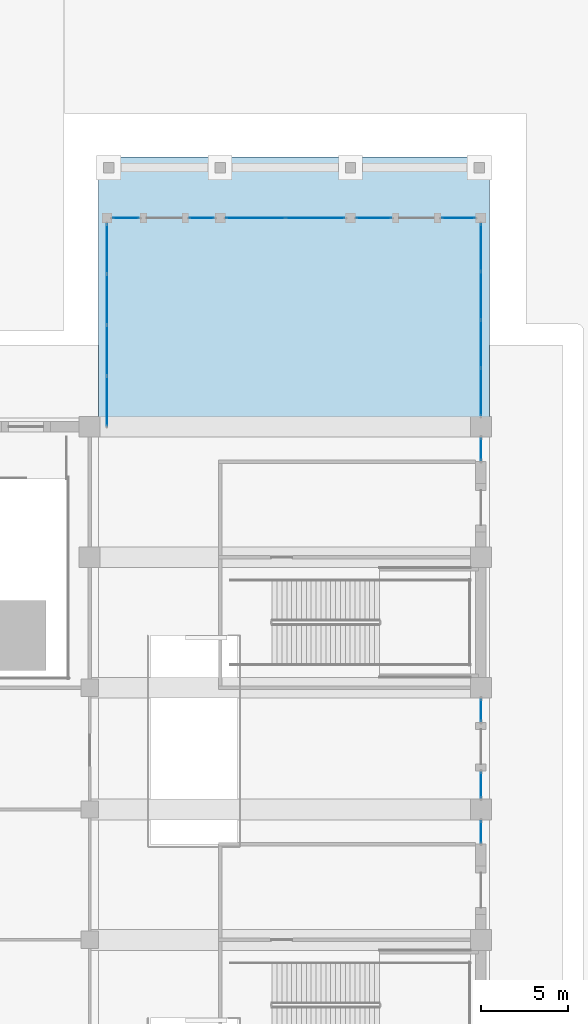
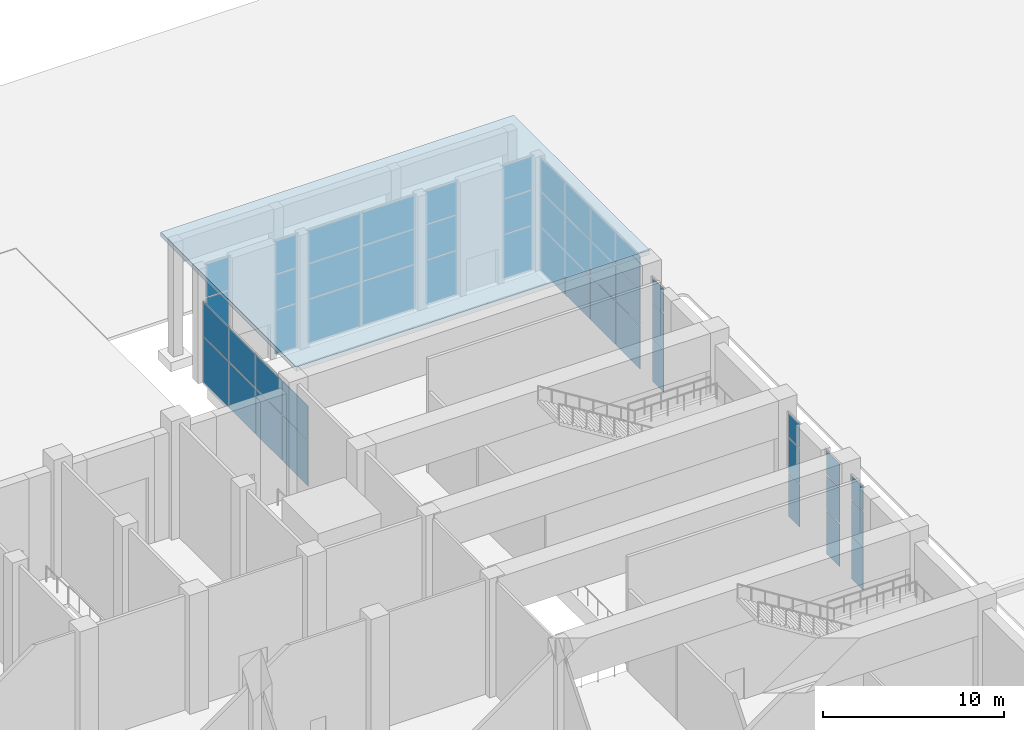
# One storey, part 22 of 57: 50 plates, 1 slab, 11 elements without a shape of their own.
"""IFC4 building model written with IfcOpenShell, lengths in metres."""

from ifc_helpers import new_model, si_unit, direction, frame, origin, origin_2d, place, context, subcontext, project, spatial, polyline, rectangle, outline, extrude, material, layer, layer_set, type_object, element, aggregate, save


model = new_model("IFC4")

# Units and contexts
model_context = context("Model", 3, precision=1e-05, world=origin(), true_north=direction((0.0, 1.0)))
body_context = subcontext(model_context, "Body", "Model", "MODEL_VIEW")
ifc_project = project(units=[si_unit("LENGTHUNIT", "METRE"), si_unit("AREAUNIT", "SQUARE_METRE"), si_unit("VOLUMEUNIT", "CUBIC_METRE"), si_unit("PLANEANGLEUNIT", "RADIAN"), si_unit("MASSUNIT", "GRAM", prefix="KILO")], contexts=[model_context])

# Site, building, storey
site_placement = place(None, origin())
site = spatial("IfcSite", under=ifc_project, at=site_placement, CompositionType="ELEMENT")
building_placement = place(site_placement, origin())
building = spatial("IfcBuilding", under=site, at=building_placement, Name="Tamorin Gate", CompositionType="ELEMENT")
storey_placement = place(building_placement, origin())
storey = spatial("IfcBuildingStorey", under=building, at=storey_placement, Name="L00", CompositionType="ELEMENT", Elevation=0.0)

# Curtain wall, plates
ifc_material_1 = material(Name="Aluminium and glass", Category="aluminium")
ifc_layer_1 = layer(ifc_material_1, 0.199951171875)
ifc_layer_set_1 = layer_set([ifc_layer_1], Name="Station concourse glazing system")
curtain_wall_type_1 = type_object("IfcCurtainWallType", Name="Station concourse glazing system", PredefinedType="NOTDEFINED", material=ifc_layer_set_1)
curtain_wall_1_placement = place(storey_placement, origin())
curtain_wall_1 = element("IfcCurtainWall", 1, at=curtain_wall_1_placement, inside=storey, type_object=curtain_wall_type_1, Name="Station concourse glazing system L00", PredefinedType="NOTDEFINED")
ifc_material_2 = material(Name="Laminated glass", Category="glass")
ifc_layer_2 = layer(ifc_material_2, 0.028076171875)
ifc_layer_set_2 = layer_set([ifc_layer_2], Name="Concourse glass 28")
plate_type_1 = type_object("IfcPlateType", Name="Concourse glass 28", PredefinedType="CURTAIN_PANEL", material=ifc_layer_set_2)
plate_1_placement = place(storey_placement, frame((112.0, 88.699951171875, 0.080078125), z_axis=(0.0, 0.0, 1.0), x_axis=(0.0, 1.0, 0.0)))
plate_1 = element("IfcPlate", 2, at=plate_1_placement, type_object=plate_type_1, Name="CWP11 panel 1.1", PredefinedType="CURTAIN_PANEL", context=body_context, shape_type="SweptSolid", body=[
    extrude(rectangle(XDim=1.239990234375, YDim=0.028076171875, at=origin_2d()), origin(), (0.0, 0.0, 1.0), 2.8798828125),
])
plate_2_placement = place(storey_placement, frame((112.0, 88.699951171875, 3.0400390625), z_axis=(0.0, 0.0, 1.0), x_axis=(0.0, 1.0, 0.0)))
plate_2 = element("IfcPlate", 3, at=plate_2_placement, type_object=plate_type_1, Name="CWP11 panel 1.2", PredefinedType="CURTAIN_PANEL", context=body_context, shape_type="SweptSolid", body=[
    extrude(rectangle(XDim=1.239990234375, YDim=0.028076171875, at=origin_2d()), origin(), (0.0, 0.0, 1.0), 2.320068359375),
])
plate_3_placement = place(storey_placement, frame((112.0, 88.699951171875, 5.43994140625), z_axis=(0.0, 0.0, 1.0), x_axis=(0.0, 1.0, 0.0)))
plate_3 = element("IfcPlate", 4, at=plate_3_placement, type_object=plate_type_1, Name="CWP11 panel 1.3", PredefinedType="CURTAIN_PANEL", context=body_context, shape_type="SweptSolid", body=[
    extrude(rectangle(XDim=1.239990234375, YDim=0.028076171875, at=origin_2d()), origin(), (0.0, 0.0, 1.0), 1.580078125),
])
aggregate(curtain_wall_1, [plate_1, plate_2, plate_3])

curtain_wall_2_placement = place(storey_placement, origin())
curtain_wall_2 = element("IfcCurtainWall", 5, at=curtain_wall_2_placement, inside=storey, type_object=curtain_wall_type_1, Name="Station concourse glazing system L00", PredefinedType="NOTDEFINED")
plate_4_placement = place(storey_placement, frame((112.0, 91.39990234375, 0.080078125), z_axis=(0.0, 0.0, 1.0), x_axis=(0.0, 1.0, 0.0)))
plate_4 = element("IfcPlate", 6, at=plate_4_placement, type_object=plate_type_1, Name="CWP11 panel 1.1", PredefinedType="CURTAIN_PANEL", context=body_context, shape_type="SweptSolid", body=[
    extrude(rectangle(XDim=1.43994140625, YDim=0.028076171875, at=origin_2d()), origin(), (0.0, 0.0, 1.0), 2.8798828125),
])
plate_5_placement = place(storey_placement, frame((112.0, 91.39990234375, 3.0400390625), z_axis=(0.0, 0.0, 1.0), x_axis=(0.0, 1.0, 0.0)))
plate_5 = element("IfcPlate", 7, at=plate_5_placement, type_object=plate_type_1, Name="CWP11 panel 1.2", PredefinedType="CURTAIN_PANEL", context=body_context, shape_type="SweptSolid", body=[
    extrude(rectangle(XDim=1.43994140625, YDim=0.028076171875, at=origin_2d()), origin(), (0.0, 0.0, 1.0), 2.320068359375),
])
plate_6_placement = place(storey_placement, frame((112.0, 91.39990234375, 5.43994140625), z_axis=(0.0, 0.0, 1.0), x_axis=(0.0, 1.0, 0.0)))
plate_6 = element("IfcPlate", 8, at=plate_6_placement, type_object=plate_type_1, Name="CWP11 panel 1.3", PredefinedType="CURTAIN_PANEL", context=body_context, shape_type="SweptSolid", body=[
    extrude(rectangle(XDim=1.43994140625, YDim=0.028076171875, at=origin_2d()), origin(), (0.0, 0.0, 1.0), 1.580078125),
])
aggregate(curtain_wall_2, [plate_4, plate_5, plate_6])

curtain_wall_3_placement = place(storey_placement, origin())
curtain_wall_3 = element("IfcCurtainWall", 9, at=curtain_wall_3_placement, inside=storey, type_object=curtain_wall_type_1, Name="Station concourse glazing system L00", PredefinedType="NOTDEFINED")
plate_7_placement = place(storey_placement, frame((112.0, 95.699951171875, 0.080078125), z_axis=(0.0, 0.0, 1.0), x_axis=(0.0, 1.0, 0.0)))
plate_7 = element("IfcPlate", 10, at=plate_7_placement, type_object=plate_type_1, Name="CWP11 panel 1.1", PredefinedType="CURTAIN_PANEL", context=body_context, shape_type="SweptSolid", body=[
    extrude(rectangle(XDim=1.239990234375, YDim=0.028076171875, at=origin_2d()), origin(), (0.0, 0.0, 1.0), 2.8798828125),
])
plate_8_placement = place(storey_placement, frame((112.0, 95.699951171875, 3.0400390625), z_axis=(0.0, 0.0, 1.0), x_axis=(0.0, 1.0, 0.0)))
plate_8 = element("IfcPlate", 11, at=plate_8_placement, type_object=plate_type_1, Name="CWP11 panel 1.2", PredefinedType="CURTAIN_PANEL", context=body_context, shape_type="SweptSolid", body=[
    extrude(rectangle(XDim=1.239990234375, YDim=0.028076171875, at=origin_2d()), origin(), (0.0, 0.0, 1.0), 2.320068359375),
])
plate_9_placement = place(storey_placement, frame((112.0, 95.699951171875, 5.43994140625), z_axis=(0.0, 0.0, 1.0), x_axis=(0.0, 1.0, 0.0)))
plate_9 = element("IfcPlate", 12, at=plate_9_placement, type_object=plate_type_1, Name="CWP11 panel 1.3", PredefinedType="CURTAIN_PANEL", context=body_context, shape_type="SweptSolid", body=[
    extrude(rectangle(XDim=1.239990234375, YDim=0.028076171875, at=origin_2d()), origin(), (0.0, 0.0, 1.0), 1.580078125),
])
aggregate(curtain_wall_3, [plate_7, plate_8, plate_9])

curtain_wall_4_placement = place(storey_placement, origin())
curtain_wall_4 = element("IfcCurtainWall", 13, at=curtain_wall_4_placement, inside=storey, type_object=curtain_wall_type_1, Name="Station concourse glazing system L00", PredefinedType="NOTDEFINED")
plate_10_placement = place(storey_placement, frame((112.0, 110.699951171875, 0.080078125), z_axis=(0.0, 0.0, 1.0), x_axis=(0.0, 1.0, 0.0)))
plate_10 = element("IfcPlate", 14, at=plate_10_placement, type_object=plate_type_1, Name="CWP11 panel 1.1", PredefinedType="CURTAIN_PANEL", context=body_context, shape_type="SweptSolid", body=[
    extrude(rectangle(XDim=1.239990234375, YDim=0.028076171875, at=origin_2d()), origin(), (0.0, 0.0, 1.0), 2.8798828125),
])
plate_11_placement = place(storey_placement, frame((112.0, 110.699951171875, 3.0400390625), z_axis=(0.0, 0.0, 1.0), x_axis=(0.0, 1.0, 0.0)))
plate_11 = element("IfcPlate", 15, at=plate_11_placement, type_object=plate_type_1, Name="CWP11 panel 1.2", PredefinedType="CURTAIN_PANEL", context=body_context, shape_type="SweptSolid", body=[
    extrude(rectangle(XDim=1.239990234375, YDim=0.028076171875, at=origin_2d()), origin(), (0.0, 0.0, 1.0), 2.320068359375),
])
plate_12_placement = place(storey_placement, frame((112.0, 110.699951171875, 5.43994140625), z_axis=(0.0, 0.0, 1.0), x_axis=(0.0, 1.0, 0.0)))
plate_12 = element("IfcPlate", 16, at=plate_12_placement, type_object=plate_type_1, Name="CWP11 panel 1.3", PredefinedType="CURTAIN_PANEL", context=body_context, shape_type="SweptSolid", body=[
    extrude(rectangle(XDim=1.239990234375, YDim=0.028076171875, at=origin_2d()), origin(), (0.0, 0.0, 1.0), 1.580078125),
])
aggregate(curtain_wall_4, [plate_10, plate_11, plate_12])

ifc_layer_3 = layer(ifc_material_1, 0.199951171875)
ifc_layer_set_3 = layer_set([ifc_layer_3], Name="Station pavilion glazing system")
curtain_wall_type_2 = type_object("IfcCurtainWallType", Name="Station pavilion glazing system", PredefinedType="NOTDEFINED", material=ifc_layer_set_3)
curtain_wall_5_placement = place(storey_placement, origin())
curtain_wall_5 = element("IfcCurtainWall", 17, at=curtain_wall_5_placement, inside=storey, type_object=curtain_wall_type_2, Name="Station pavilion glazing system L00", PredefinedType="NOTDEFINED")
ifc_layer_4 = layer(ifc_material_2, 0.028076171875)
ifc_layer_set_4 = layer_set([ifc_layer_4], Name="Pavilion glass 28")
plate_type_2 = type_object("IfcPlateType", Name="Pavilion glass 28", PredefinedType="CURTAIN_PANEL", material=ifc_layer_set_4)
plate_13_placement = place(storey_placement, frame((91.60009765625, 124.0, 0.06005859375), z_axis=(0.0, 0.0, 1.0), x_axis=(1.0, 0.0, 0.0)))
plate_13 = element("IfcPlate", 18, at=plate_13_placement, type_object=plate_type_2, Name="CWP12 panel 1.1", PredefinedType="CURTAIN_PANEL", context=body_context, shape_type="SweptSolid", body=[
    extrude(rectangle(XDim=1.47998046875, YDim=0.028076171875, at=origin_2d()), origin(), (0.0, 0.0, 1.0), 2.909912109375),
])
plate_14_placement = place(storey_placement, frame((91.60009765625, 124.0, 3.02978515625), z_axis=(0.0, 0.0, 1.0), x_axis=(1.0, 0.0, 0.0)))
plate_14 = element("IfcPlate", 19, at=plate_14_placement, type_object=plate_type_2, Name="CWP12 panel 1.2", PredefinedType="CURTAIN_PANEL", context=body_context, shape_type="SweptSolid", body=[
    extrude(rectangle(XDim=1.47998046875, YDim=0.028076171875, at=origin_2d()), origin(), (0.0, 0.0, 1.0), 2.340087890625),
])
plate_15_placement = place(storey_placement, frame((91.60009765625, 124.0, 5.429931640625), z_axis=(0.0, 0.0, 1.0), x_axis=(1.0, 0.0, 0.0)))
plate_15 = element("IfcPlate", 20, at=plate_15_placement, type_object=plate_type_2, Name="CWP12 panel 1.3", PredefinedType="CURTAIN_PANEL", context=body_context, shape_type="SweptSolid", body=[
    extrude(rectangle(XDim=1.47998046875, YDim=0.028076171875, at=origin_2d()), origin(), (0.0, 0.0, 1.0), 2.2099609375),
])
aggregate(curtain_wall_5, [plate_13, plate_14, plate_15])

curtain_wall_6_placement = place(storey_placement, origin())
curtain_wall_6 = element("IfcCurtainWall", 21, at=curtain_wall_6_placement, inside=storey, type_object=curtain_wall_type_2, Name="Station pavilion glazing system L00", PredefinedType="NOTDEFINED")
plate_16_placement = place(storey_placement, frame((95.949951171875, 124.0, 0.06005859375), z_axis=(0.0, 0.0, 1.0), x_axis=(1.0, 0.0, 0.0)))
plate_16 = element("IfcPlate", 22, at=plate_16_placement, type_object=plate_type_2, Name="CWP12 panel 1.1", PredefinedType="CURTAIN_PANEL", context=body_context, shape_type="SweptSolid", body=[
    extrude(rectangle(XDim=1.3798828125, YDim=0.028076171875, at=origin_2d()), origin(), (0.0, 0.0, 1.0), 2.909912109375),
])
plate_17_placement = place(storey_placement, frame((95.949951171875, 124.0, 3.02978515625), z_axis=(0.0, 0.0, 1.0), x_axis=(1.0, 0.0, 0.0)))
plate_17 = element("IfcPlate", 23, at=plate_17_placement, type_object=plate_type_2, Name="CWP12 panel 1.2", PredefinedType="CURTAIN_PANEL", context=body_context, shape_type="SweptSolid", body=[
    extrude(rectangle(XDim=1.3798828125, YDim=0.028076171875, at=origin_2d()), origin(), (0.0, 0.0, 1.0), 2.340087890625),
])
plate_18_placement = place(storey_placement, frame((95.949951171875, 124.0, 5.429931640625), z_axis=(0.0, 0.0, 1.0), x_axis=(1.0, 0.0, 0.0)))
plate_18 = element("IfcPlate", 24, at=plate_18_placement, type_object=plate_type_2, Name="CWP12 panel 1.3", PredefinedType="CURTAIN_PANEL", context=body_context, shape_type="SweptSolid", body=[
    extrude(rectangle(XDim=1.3798828125, YDim=0.028076171875, at=origin_2d()), origin(), (0.0, 0.0, 1.0), 2.2099609375),
])
aggregate(curtain_wall_6, [plate_16, plate_17, plate_18])

curtain_wall_7_placement = place(storey_placement, origin())
curtain_wall_7 = element("IfcCurtainWall", 25, at=curtain_wall_7_placement, inside=storey, type_object=curtain_wall_type_2, Name="Station pavilion glazing system L00", PredefinedType="NOTDEFINED")
plate_19_placement = place(storey_placement, frame((99.0400390625, 124.0, 0.06005859375), z_axis=(0.0, 0.0, 1.0), x_axis=(1.0, 0.0, 0.0)))
plate_19 = element("IfcPlate", 26, at=plate_19_placement, type_object=plate_type_2, Name="CWP12 panel 1.1", PredefinedType="CURTAIN_PANEL", context=body_context, shape_type="SweptSolid", body=[
    extrude(rectangle(XDim=3.360107421875, YDim=0.028076171875, at=origin_2d()), origin(), (0.0, 0.0, 1.0), 2.909912109375),
])
plate_20_placement = place(storey_placement, frame((99.0400390625, 124.0, 3.02978515625), z_axis=(0.0, 0.0, 1.0), x_axis=(1.0, 0.0, 0.0)))
plate_20 = element("IfcPlate", 27, at=plate_20_placement, type_object=plate_type_2, Name="CWP12 panel 1.2", PredefinedType="CURTAIN_PANEL", context=body_context, shape_type="SweptSolid", body=[
    extrude(rectangle(XDim=3.360107421875, YDim=0.028076171875, at=origin_2d()), origin(), (0.0, 0.0, 1.0), 2.340087890625),
])
plate_21_placement = place(storey_placement, frame((99.0400390625, 124.0, 5.429931640625), z_axis=(0.0, 0.0, 1.0), x_axis=(1.0, 0.0, 0.0)))
plate_21 = element("IfcPlate", 28, at=plate_21_placement, type_object=plate_type_2, Name="CWP12 panel 1.3", PredefinedType="CURTAIN_PANEL", context=body_context, shape_type="SweptSolid", body=[
    extrude(rectangle(XDim=3.360107421875, YDim=0.028076171875, at=origin_2d()), origin(), (0.0, 0.0, 1.0), 2.2099609375),
])
plate_22_placement = place(storey_placement, frame((102.4599609375, 124.0, 0.06005859375), z_axis=(0.0, 0.0, 1.0), x_axis=(1.0, 0.0, 0.0)))
plate_22 = element("IfcPlate", 29, at=plate_22_placement, type_object=plate_type_2, Name="CWP12 panel 2.1", PredefinedType="CURTAIN_PANEL", context=body_context, shape_type="SweptSolid", body=[
    extrude(rectangle(XDim=3.360107421875, YDim=0.028076171875, at=origin_2d()), origin(), (0.0, 0.0, 1.0), 2.909912109375),
])
plate_23_placement = place(storey_placement, frame((102.4599609375, 124.0, 3.02978515625), z_axis=(0.0, 0.0, 1.0), x_axis=(1.0, 0.0, 0.0)))
plate_23 = element("IfcPlate", 30, at=plate_23_placement, type_object=plate_type_2, Name="CWP12 panel 2.2", PredefinedType="CURTAIN_PANEL", context=body_context, shape_type="SweptSolid", body=[
    extrude(rectangle(XDim=3.360107421875, YDim=0.028076171875, at=origin_2d()), origin(), (0.0, 0.0, 1.0), 2.340087890625),
])
plate_24_placement = place(storey_placement, frame((102.4599609375, 124.0, 5.429931640625), z_axis=(0.0, 0.0, 1.0), x_axis=(1.0, 0.0, 0.0)))
plate_24 = element("IfcPlate", 31, at=plate_24_placement, type_object=plate_type_2, Name="CWP12 panel 2.3", PredefinedType="CURTAIN_PANEL", context=body_context, shape_type="SweptSolid", body=[
    extrude(rectangle(XDim=3.360107421875, YDim=0.028076171875, at=origin_2d()), origin(), (0.0, 0.0, 1.0), 2.2099609375),
])
aggregate(curtain_wall_7, [plate_19, plate_20, plate_21, plate_22, plate_23, plate_24])

curtain_wall_8_placement = place(storey_placement, origin())
curtain_wall_8 = element("IfcCurtainWall", 32, at=curtain_wall_8_placement, inside=storey, type_object=curtain_wall_type_2, Name="Station pavilion glazing system L00", PredefinedType="NOTDEFINED")
plate_25_placement = place(storey_placement, frame((105.85009765625, 124.0, 0.06005859375), z_axis=(0.0, 0.0, 1.0), x_axis=(1.0, 0.0, 0.0)))
plate_25 = element("IfcPlate", 33, at=plate_25_placement, type_object=plate_type_2, Name="CWP12 panel 1.1", PredefinedType="CURTAIN_PANEL", context=body_context, shape_type="SweptSolid", body=[
    extrude(rectangle(XDim=1.97998046875, YDim=0.028076171875, at=origin_2d()), origin(), (0.0, 0.0, 1.0), 2.909912109375),
])
plate_26_placement = place(storey_placement, frame((105.85009765625, 124.0, 3.02978515625), z_axis=(0.0, 0.0, 1.0), x_axis=(1.0, 0.0, 0.0)))
plate_26 = element("IfcPlate", 34, at=plate_26_placement, type_object=plate_type_2, Name="CWP12 panel 1.2", PredefinedType="CURTAIN_PANEL", context=body_context, shape_type="SweptSolid", body=[
    extrude(rectangle(XDim=1.97998046875, YDim=0.028076171875, at=origin_2d()), origin(), (0.0, 0.0, 1.0), 2.340087890625),
])
plate_27_placement = place(storey_placement, frame((105.85009765625, 124.0, 5.429931640625), z_axis=(0.0, 0.0, 1.0), x_axis=(1.0, 0.0, 0.0)))
plate_27 = element("IfcPlate", 35, at=plate_27_placement, type_object=plate_type_2, Name="CWP12 panel 1.3", PredefinedType="CURTAIN_PANEL", context=body_context, shape_type="SweptSolid", body=[
    extrude(rectangle(XDim=1.97998046875, YDim=0.028076171875, at=origin_2d()), origin(), (0.0, 0.0, 1.0), 2.2099609375),
])
aggregate(curtain_wall_8, [plate_25, plate_26, plate_27])

curtain_wall_9_placement = place(storey_placement, origin())
curtain_wall_9 = element("IfcCurtainWall", 36, at=curtain_wall_9_placement, inside=storey, type_object=curtain_wall_type_2, Name="Station pavilion glazing system L00", PredefinedType="NOTDEFINED")
plate_28_placement = place(storey_placement, frame((110.699951171875, 124.0, 0.06005859375), z_axis=(0.0, 0.0, 1.0), x_axis=(1.0, 0.0, 0.0)))
plate_28 = element("IfcPlate", 37, at=plate_28_placement, type_object=plate_type_2, Name="CWP12 panel 1.1", PredefinedType="CURTAIN_PANEL", context=body_context, shape_type="SweptSolid", body=[
    extrude(rectangle(XDim=1.8798828125, YDim=0.028076171875, at=origin_2d()), origin(), (0.0, 0.0, 1.0), 2.909912109375),
])
plate_29_placement = place(storey_placement, frame((110.699951171875, 124.0, 3.02978515625), z_axis=(0.0, 0.0, 1.0), x_axis=(1.0, 0.0, 0.0)))
plate_29 = element("IfcPlate", 38, at=plate_29_placement, type_object=plate_type_2, Name="CWP12 panel 1.2", PredefinedType="CURTAIN_PANEL", context=body_context, shape_type="SweptSolid", body=[
    extrude(rectangle(XDim=1.8798828125, YDim=0.028076171875, at=origin_2d()), origin(), (0.0, 0.0, 1.0), 2.340087890625),
])
plate_30_placement = place(storey_placement, frame((110.699951171875, 124.0, 5.429931640625), z_axis=(0.0, 0.0, 1.0), x_axis=(1.0, 0.0, 0.0)))
plate_30 = element("IfcPlate", 39, at=plate_30_placement, type_object=plate_type_2, Name="CWP12 panel 1.3", PredefinedType="CURTAIN_PANEL", context=body_context, shape_type="SweptSolid", body=[
    extrude(rectangle(XDim=1.8798828125, YDim=0.028076171875, at=origin_2d()), origin(), (0.0, 0.0, 1.0), 2.2099609375),
])
aggregate(curtain_wall_9, [plate_28, plate_29, plate_30])

curtain_wall_10_placement = place(storey_placement, origin())
curtain_wall_10 = element("IfcCurtainWall", 40, at=curtain_wall_10_placement, inside=storey, type_object=curtain_wall_type_2, Name="Station pavilion glazing system L00", PredefinedType="NOTDEFINED")
plate_31_placement = place(storey_placement, frame((112.0, 114.00244140625, 0.06005859375), z_axis=(0.0, 0.0, 1.0), x_axis=(0.0, 1.0, 0.0)))
plate_31 = element("IfcPlate", 41, at=plate_31_placement, type_object=plate_type_2, Name="CWP12 panel 1.1", PredefinedType="CURTAIN_PANEL", context=body_context, shape_type="SweptSolid", body=[
    extrude(rectangle(XDim=2.68505859375, YDim=0.028076171875, at=origin_2d()), origin(), (0.0, 0.0, 1.0), 2.909912109375),
])
plate_32_placement = place(storey_placement, frame((112.0, 114.00244140625, 3.02978515625), z_axis=(0.0, 0.0, 1.0), x_axis=(0.0, 1.0, 0.0)))
plate_32 = element("IfcPlate", 42, at=plate_32_placement, type_object=plate_type_2, Name="CWP12 panel 1.2", PredefinedType="CURTAIN_PANEL", context=body_context, shape_type="SweptSolid", body=[
    extrude(rectangle(XDim=2.68505859375, YDim=0.028076171875, at=origin_2d()), origin(), (0.0, 0.0, 1.0), 2.340087890625),
])
plate_33_placement = place(storey_placement, frame((112.0, 114.00244140625, 5.429931640625), z_axis=(0.0, 0.0, 1.0), x_axis=(0.0, 1.0, 0.0)))
plate_33 = element("IfcPlate", 43, at=plate_33_placement, type_object=plate_type_2, Name="CWP12 panel 1.3", PredefinedType="CURTAIN_PANEL", context=body_context, shape_type="SweptSolid", body=[
    extrude(rectangle(XDim=2.68505859375, YDim=0.028076171875, at=origin_2d()), origin(), (0.0, 0.0, 1.0), 2.2099609375),
])
plate_34_placement = place(storey_placement, frame((112.0, 116.762451171875, 0.06005859375), z_axis=(0.0, 0.0, 1.0), x_axis=(0.0, 1.0, 0.0)))
plate_34 = element("IfcPlate", 44, at=plate_34_placement, type_object=plate_type_2, Name="CWP12 panel 2.1", PredefinedType="CURTAIN_PANEL", context=body_context, shape_type="SweptSolid", body=[
    extrude(rectangle(XDim=2.715087890625, YDim=0.028076171875, at=origin_2d()), origin(), (0.0, 0.0, 1.0), 2.909912109375),
])
plate_35_placement = place(storey_placement, frame((112.0, 116.762451171875, 3.02978515625), z_axis=(0.0, 0.0, 1.0), x_axis=(0.0, 1.0, 0.0)))
plate_35 = element("IfcPlate", 45, at=plate_35_placement, type_object=plate_type_2, Name="CWP12 panel 2.2", PredefinedType="CURTAIN_PANEL", context=body_context, shape_type="SweptSolid", body=[
    extrude(rectangle(XDim=2.715087890625, YDim=0.028076171875, at=origin_2d()), origin(), (0.0, 0.0, 1.0), 2.340087890625),
])
plate_36_placement = place(storey_placement, frame((112.0, 116.762451171875, 5.429931640625), z_axis=(0.0, 0.0, 1.0), x_axis=(0.0, 1.0, 0.0)))
plate_36 = element("IfcPlate", 46, at=plate_36_placement, type_object=plate_type_2, Name="CWP12 panel 2.3", PredefinedType="CURTAIN_PANEL", context=body_context, shape_type="SweptSolid", body=[
    extrude(rectangle(XDim=2.715087890625, YDim=0.028076171875, at=origin_2d()), origin(), (0.0, 0.0, 1.0), 2.2099609375),
])
plate_37_placement = place(storey_placement, frame((112.0, 119.53759765625, 0.06005859375), z_axis=(0.0, 0.0, 1.0), x_axis=(0.0, 1.0, 0.0)))
plate_37 = element("IfcPlate", 47, at=plate_37_placement, type_object=plate_type_2, Name="CWP12 panel 3.1", PredefinedType="CURTAIN_PANEL", context=body_context, shape_type="SweptSolid", body=[
    extrude(rectangle(XDim=2.715087890625, YDim=0.028076171875, at=origin_2d()), origin(), (0.0, 0.0, 1.0), 2.909912109375),
])
plate_38_placement = place(storey_placement, frame((112.0, 119.53759765625, 3.02978515625), z_axis=(0.0, 0.0, 1.0), x_axis=(0.0, 1.0, 0.0)))
plate_38 = element("IfcPlate", 48, at=plate_38_placement, type_object=plate_type_2, Name="CWP12 panel 3.2", PredefinedType="CURTAIN_PANEL", context=body_context, shape_type="SweptSolid", body=[
    extrude(rectangle(XDim=2.715087890625, YDim=0.028076171875, at=origin_2d()), origin(), (0.0, 0.0, 1.0), 2.340087890625),
])
plate_39_placement = place(storey_placement, frame((112.0, 119.53759765625, 5.429931640625), z_axis=(0.0, 0.0, 1.0), x_axis=(0.0, 1.0, 0.0)))
plate_39 = element("IfcPlate", 49, at=plate_39_placement, type_object=plate_type_2, Name="CWP12 panel 3.3", PredefinedType="CURTAIN_PANEL", context=body_context, shape_type="SweptSolid", body=[
    extrude(rectangle(XDim=2.715087890625, YDim=0.028076171875, at=origin_2d()), origin(), (0.0, 0.0, 1.0), 2.2099609375),
])
plate_40_placement = place(storey_placement, frame((112.0, 122.297607421875, 0.06005859375), z_axis=(0.0, 0.0, 1.0), x_axis=(0.0, 1.0, 0.0)))
plate_40 = element("IfcPlate", 50, at=plate_40_placement, type_object=plate_type_2, Name="CWP12 panel 4.1", PredefinedType="CURTAIN_PANEL", context=body_context, shape_type="SweptSolid", body=[
    extrude(rectangle(XDim=2.68505859375, YDim=0.028076171875, at=origin_2d()), origin(), (0.0, 0.0, 1.0), 2.909912109375),
])
plate_41_placement = place(storey_placement, frame((112.0, 122.297607421875, 3.02978515625), z_axis=(0.0, 0.0, 1.0), x_axis=(0.0, 1.0, 0.0)))
plate_41 = element("IfcPlate", 51, at=plate_41_placement, type_object=plate_type_2, Name="CWP12 panel 4.2", PredefinedType="CURTAIN_PANEL", context=body_context, shape_type="SweptSolid", body=[
    extrude(rectangle(XDim=2.68505859375, YDim=0.028076171875, at=origin_2d()), origin(), (0.0, 0.0, 1.0), 2.340087890625),
])
plate_42_placement = place(storey_placement, frame((112.0, 122.297607421875, 5.429931640625), z_axis=(0.0, 0.0, 1.0), x_axis=(0.0, 1.0, 0.0)))
plate_42 = element("IfcPlate", 52, at=plate_42_placement, type_object=plate_type_2, Name="CWP12 panel 4.3", PredefinedType="CURTAIN_PANEL", context=body_context, shape_type="SweptSolid", body=[
    extrude(rectangle(XDim=2.68505859375, YDim=0.028076171875, at=origin_2d()), origin(), (0.0, 0.0, 1.0), 2.2099609375),
])
aggregate(curtain_wall_10, [plate_31, plate_32, plate_33, plate_34, plate_35, plate_36, plate_37, plate_38, plate_39, plate_40, plate_41, plate_42])

curtain_wall_11_placement = place(storey_placement, origin())
curtain_wall_11 = element("IfcCurtainWall", 53, at=curtain_wall_11_placement, inside=storey, type_object=curtain_wall_type_2, Name="Station pavilion glazing system L00", PredefinedType="NOTDEFINED")
plate_43_placement = place(storey_placement, frame((90.5, 113.4775390625, 0.06005859375), z_axis=(0.0, 0.0, 1.0), x_axis=(0.0, 1.0, 0.0)))
plate_43 = element("IfcPlate", 54, at=plate_43_placement, type_object=plate_type_2, Name="CWP12 panel 1.1", PredefinedType="CURTAIN_PANEL", context=body_context, shape_type="SweptSolid", body=[
    extrude(rectangle(XDim=2.8349609375, YDim=0.028076171875, at=origin_2d()), origin(), (0.0, 0.0, 1.0), 3.06005859375),
])
plate_44_placement = place(storey_placement, frame((90.5, 113.4775390625, 3.18017578125), z_axis=(0.0, 0.0, 1.0), x_axis=(0.0, 1.0, 0.0)))
plate_44 = element("IfcPlate", 55, at=plate_44_placement, type_object=plate_type_2, Name="CWP12 panel 1.2", PredefinedType="CURTAIN_PANEL", context=body_context, shape_type="SweptSolid", body=[
    extrude(rectangle(XDim=2.8349609375, YDim=0.028076171875, at=origin_2d()), origin(), (0.0, 0.0, 1.0), 2.260009765625),
])
plate_45_placement = place(storey_placement, frame((90.5, 116.387451171875, 0.06005859375), z_axis=(0.0, 0.0, 1.0), x_axis=(0.0, 1.0, 0.0)))
plate_45 = element("IfcPlate", 56, at=plate_45_placement, type_object=plate_type_2, Name="CWP12 panel 2.1", PredefinedType="CURTAIN_PANEL", context=body_context, shape_type="SweptSolid", body=[
    extrude(rectangle(XDim=2.864990234375, YDim=0.028076171875, at=origin_2d()), origin(), (0.0, 0.0, 1.0), 3.06005859375),
])
plate_46_placement = place(storey_placement, frame((90.5, 116.387451171875, 3.18017578125), z_axis=(0.0, 0.0, 1.0), x_axis=(0.0, 1.0, 0.0)))
plate_46 = element("IfcPlate", 57, at=plate_46_placement, type_object=plate_type_2, Name="CWP12 panel 2.2", PredefinedType="CURTAIN_PANEL", context=body_context, shape_type="SweptSolid", body=[
    extrude(rectangle(XDim=2.864990234375, YDim=0.028076171875, at=origin_2d()), origin(), (0.0, 0.0, 1.0), 2.260009765625),
])
plate_47_placement = place(storey_placement, frame((90.5, 119.3125, 0.06005859375), z_axis=(0.0, 0.0, 1.0), x_axis=(0.0, 1.0, 0.0)))
plate_47 = element("IfcPlate", 58, at=plate_47_placement, type_object=plate_type_2, Name="CWP12 panel 3.1", PredefinedType="CURTAIN_PANEL", context=body_context, shape_type="SweptSolid", body=[
    extrude(rectangle(XDim=2.864990234375, YDim=0.028076171875, at=origin_2d()), origin(), (0.0, 0.0, 1.0), 3.06005859375),
])
plate_48_placement = place(storey_placement, frame((90.5, 119.3125, 3.18017578125), z_axis=(0.0, 0.0, 1.0), x_axis=(0.0, 1.0, 0.0)))
plate_48 = element("IfcPlate", 59, at=plate_48_placement, type_object=plate_type_2, Name="CWP12 panel 3.2", PredefinedType="CURTAIN_PANEL", context=body_context, shape_type="SweptSolid", body=[
    extrude(rectangle(XDim=2.864990234375, YDim=0.028076171875, at=origin_2d()), origin(), (0.0, 0.0, 1.0), 2.260009765625),
])
plate_49_placement = place(storey_placement, frame((90.5, 122.222412109375, 0.06005859375), z_axis=(0.0, 0.0, 1.0), x_axis=(0.0, 1.0, 0.0)))
plate_49 = element("IfcPlate", 60, at=plate_49_placement, type_object=plate_type_2, Name="CWP12 panel 4.1", PredefinedType="CURTAIN_PANEL", context=body_context, shape_type="SweptSolid", body=[
    extrude(rectangle(XDim=2.8349609375, YDim=0.028076171875, at=origin_2d()), origin(), (0.0, 0.0, 1.0), 3.06005859375),
])
plate_50_placement = place(storey_placement, frame((90.5, 122.222412109375, 3.18017578125), z_axis=(0.0, 0.0, 1.0), x_axis=(0.0, 1.0, 0.0)))
plate_50 = element("IfcPlate", 61, at=plate_50_placement, type_object=plate_type_2, Name="CWP12 panel 4.2", PredefinedType="CURTAIN_PANEL", context=body_context, shape_type="SweptSolid", body=[
    extrude(rectangle(XDim=2.8349609375, YDim=0.028076171875, at=origin_2d()), origin(), (0.0, 0.0, 1.0), 2.260009765625),
])
aggregate(curtain_wall_11, [plate_43, plate_44, plate_45, plate_46, plate_47, plate_48, plate_49, plate_50])

# Slab
ifc_material_3 = material(Name="Concrete C40/50", Category="concrete")
ifc_layer_5 = layer(ifc_material_3, 0.300048828125)
ifc_layer_set_5 = layer_set([ifc_layer_5], Name="Pavilion roof slab 300")
slab_type = type_object("IfcSlabType", Name="Pavilion roof slab 300", PredefinedType="ROOF", material=ifc_layer_set_5)
slab_placement = place(storey_placement, frame((0.0, 0.0, 7.699951171875)))
element("IfcSlab", 62, at=slab_placement, inside=storey, type_object=slab_type, Name="Pavilion roof", PredefinedType="ROOF", context=body_context, shape_type="SweptSolid", body=[
    extrude(outline(polyline([(90.0, 112.5), (112.5, 112.5), (112.5, 127.5), (90.0, 127.5), (90.0, 112.5)])), origin(), (0.0, 0.0, 1.0), 0.300048828125),
])

save(model, "model.ifc")
